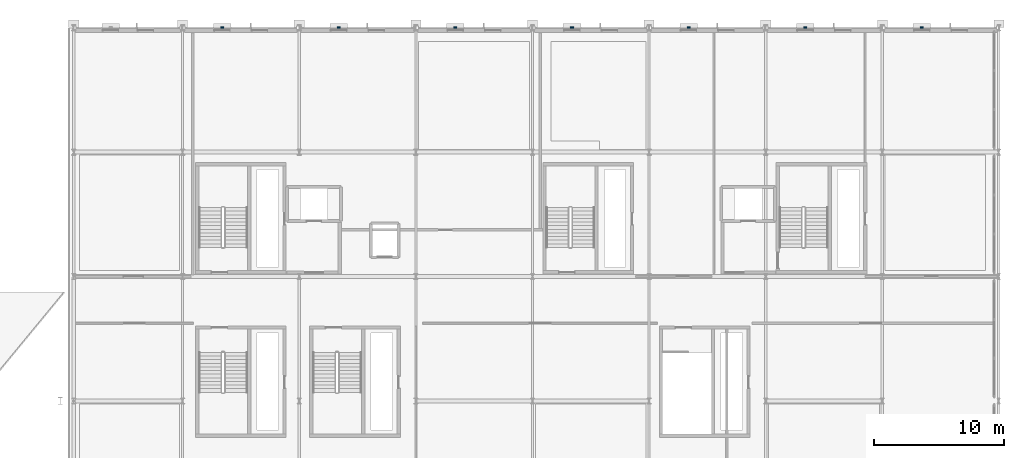
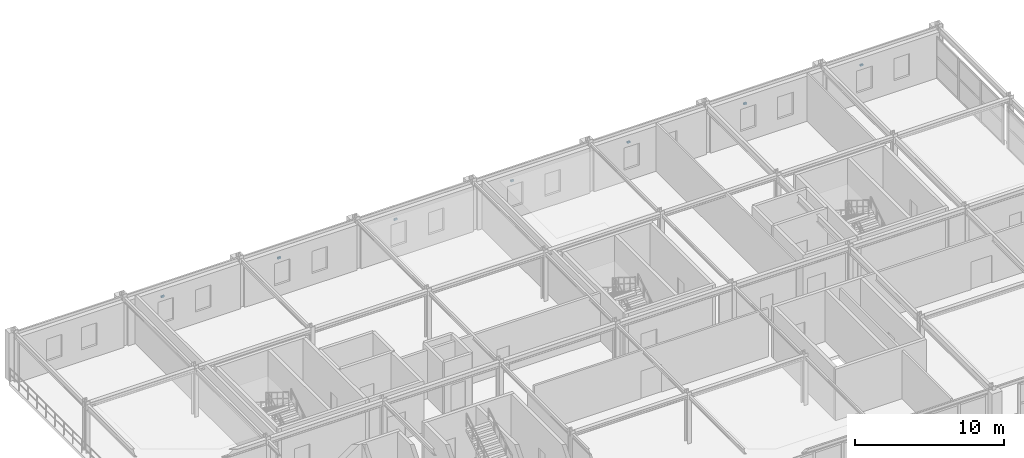
# One storey, part 61 of 81: 7 discrete accessories.
"""IFC4 building model written with IfcOpenShell, lengths in metres."""

from ifc_helpers import new_model, si_unit, direction, frame, origin, origin_2d, place, context, subcontext, project, spatial, rectangle, extrude, material, type_object, element, save


model = new_model("IFC4")

# Units and contexts
model_context = context("Model", 3, precision=1e-05, world=origin(), true_north=direction((0.0, 1.0)))
body_context = subcontext(model_context, "Body", "Model", "MODEL_VIEW")
ifc_project = project(units=[si_unit("LENGTHUNIT", "METRE"), si_unit("AREAUNIT", "SQUARE_METRE"), si_unit("VOLUMEUNIT", "CUBIC_METRE"), si_unit("PLANEANGLEUNIT", "RADIAN"), si_unit("MASSUNIT", "GRAM", prefix="KILO")], contexts=[model_context])

# Site, building, storey
site_placement = place(None, origin())
site = spatial("IfcSite", under=ifc_project, at=site_placement, CompositionType="ELEMENT")
building_placement = place(site_placement, origin())
building = spatial("IfcBuilding", under=site, at=building_placement, Name="Myrtia Square Station", CompositionType="ELEMENT")
storey_placement = place(building_placement, frame((0.0, 0.0, 10.800048828125)))
storey = spatial("IfcBuildingStorey", under=building, at=storey_placement, Name="L02", CompositionType="ELEMENT", Elevation=10.800048828125)

# Discrete accessories
ifc_material = material(Name="Steel S355", Category="steel")
discrete_accessory_type = type_object("IfcDiscreteAccessoryType", Name="ACC-BRACKET-BRONZE", PredefinedType="BRACKET", material=ifc_material)
for number, where, z_axis, x_axis, name in (
    (1, (129.052001953125, 124.830078125, 2.72998046875), (0.0, 0.0, 1.0), (1.0, 0.0, 0.0), "Solar shading fixing bracket 056"),
    (2, (138.052001953125, 124.830078125, 2.72998046875), (0.0, 0.0, 1.0), (1.0, 0.0, 0.0), "Solar shading fixing bracket 057"),
    (3, (147.052001953125, 124.830078125, 2.72998046875), (0.0, 0.0, 1.0), (1.0, 0.0, 0.0), "Solar shading fixing bracket 058"),
    (4, (156.052001953125, 124.830078125, 2.72998046875), (0.0, 0.0, 1.0), (1.0, 0.0, 0.0), "Solar shading fixing bracket 059"),
    (5, (165.052001953125, 124.830078125, 2.72998046875), (0.0, 0.0, 1.0), (1.0, 0.0, 0.0), "Solar shading fixing bracket 060"),
    (6, (174.052001953125, 124.830078125, 2.72998046875), (0.0, 0.0, 1.0), (1.0, 0.0, 0.0), "Solar shading fixing bracket 061"),
    (7, (183.052001953125, 124.830078125, 2.72998046875), (0.0, 0.0, 1.0), (1.0, 0.0, 0.0), "Solar shading fixing bracket 062"),
):
    element("IfcDiscreteAccessory", number, at=place(storey_placement, frame(where, z_axis=z_axis, x_axis=x_axis)), inside=storey, type_object=discrete_accessory_type, Name=name, PredefinedType="BRACKET", context=body_context, shape_type="SweptSolid", body=[
        extrude(rectangle(XDim=0.239990234375, YDim=0.1201171875, at=origin_2d()), origin(), (0.0, 0.0, 1.0), 0.139892578125),
    ])

save(model, "model.ifc")
